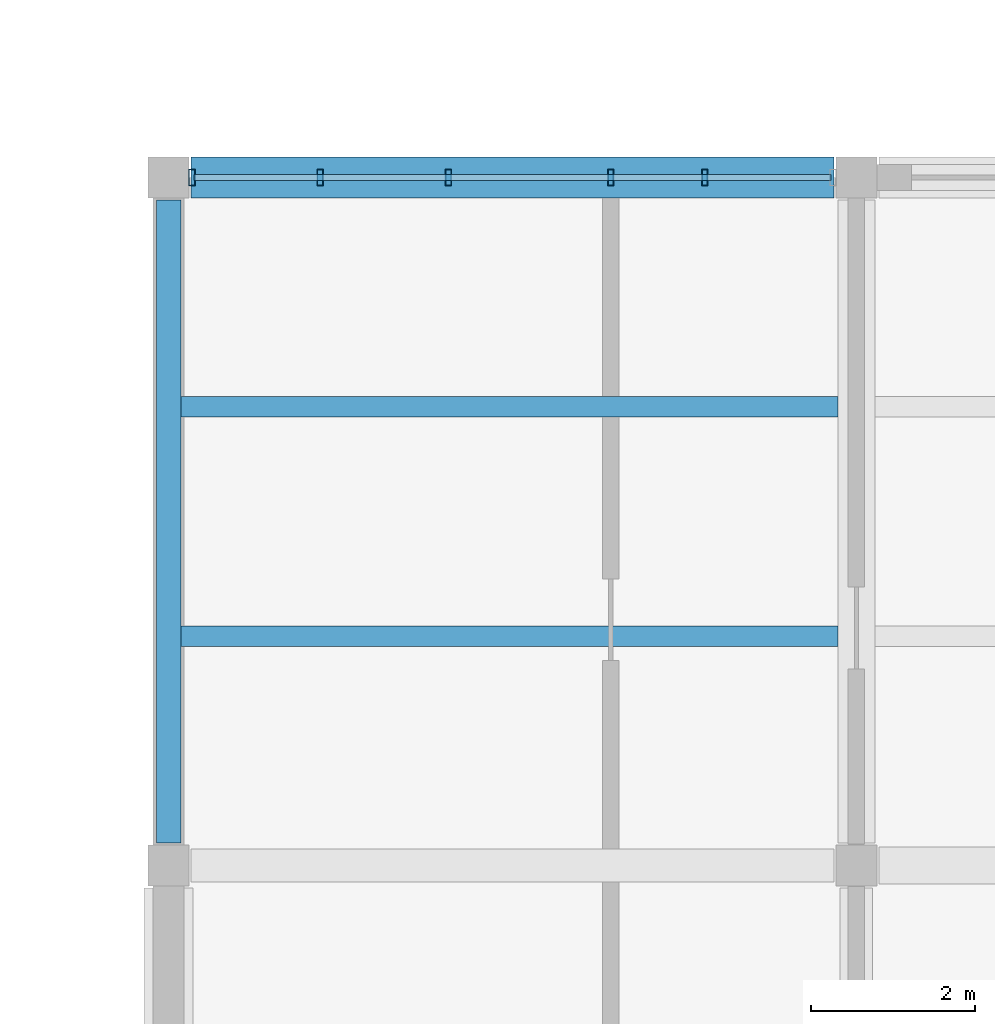
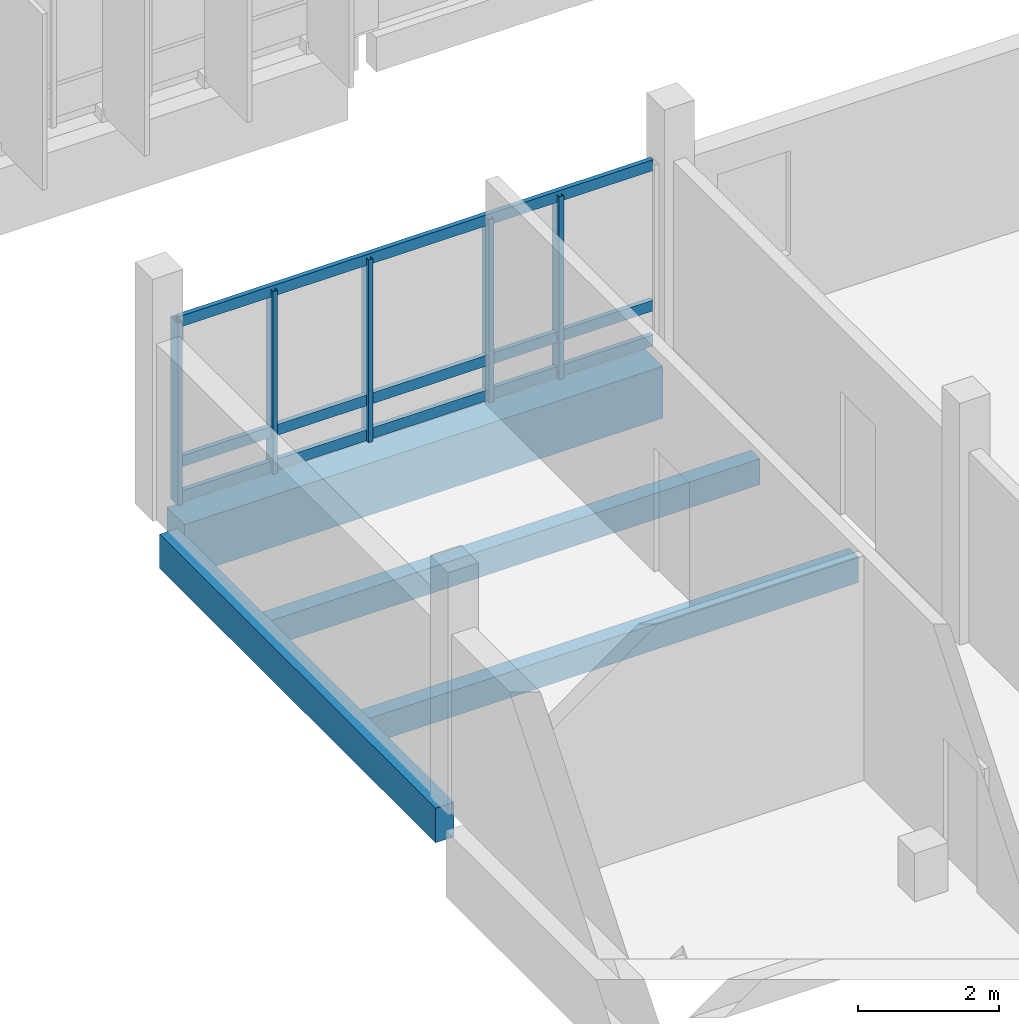
# One storey, part 33 of 107: 8 members, 4 beams, 1 element without a shape of its own.
"""IFC4 building model written with IfcOpenShell, lengths in metres."""

from ifc_helpers import new_model, si_unit, direction, frame, origin, origin_2d, place, context, subcontext, project, spatial, rectangle, hollow_rectangle, extrude, material, layer, layer_set, material_profile, profile_set, type_object, element, aggregate, save


model = new_model("IFC4")

# Units and contexts
model_context = context("Model", 3, precision=1e-05, world=origin(), true_north=direction((0.0, 1.0)))
body_context = subcontext(model_context, "Body", "Model", "MODEL_VIEW")
ifc_project = project(units=[si_unit("LENGTHUNIT", "METRE"), si_unit("AREAUNIT", "SQUARE_METRE"), si_unit("VOLUMEUNIT", "CUBIC_METRE"), si_unit("PLANEANGLEUNIT", "RADIAN"), si_unit("MASSUNIT", "GRAM", prefix="KILO")], contexts=[model_context])

# Site, building, storey
site_placement = place(None, origin())
site = spatial("IfcSite", under=ifc_project, at=site_placement, CompositionType="ELEMENT")
building_placement = place(site_placement, origin())
building = spatial("IfcBuilding", under=site, at=building_placement, Name="Vireocrest Preparatory School", CompositionType="ELEMENT")
storey_placement = place(building_placement, frame((0.0, 0.0, 13.199951171875)))
storey = spatial("IfcBuildingStorey", under=building, at=storey_placement, Name="L03", CompositionType="ELEMENT", Elevation=13.199951171875)

# Curtain wall, members
ifc_material_1 = material(Name="Thermally broken aluminium EN AW-6063-T6", Category="aluminium")
ifc_layer = layer(ifc_material_1, 0.179931640625)
ifc_layer_set = layer_set([ifc_layer], Name="Thermally broken aluminium EN AW-6063-T6")
curtain_wall_type = type_object("IfcCurtainWallType", Name="Botanical Lab Glazing 8400x3400", PredefinedType="USERDEFINED", material=ifc_layer_set)
curtain_wall_placement = place(storey_placement, origin())
curtain_wall = element("IfcCurtainWall", 1, at=curtain_wall_placement, inside=storey, type_object=curtain_wall_type, Name="Curtain Wall CW15 CW_L03_CW15_0422_0858_132", ObjectType="CURTAIN WALL", PredefinedType="USERDEFINED")
ifc_material_profile_1 = material_profile(ifc_material_1, hollow_rectangle(XDim=0.074951171875, YDim=0.199951171875, WallThickness=0.0048828125, at=origin_2d()), Name="ALU 75x200x5")
ifc_profile_set_1 = profile_set([ifc_material_profile_1], Name="Thermally broken aluminium EN AW-6063-T6")
member_type_1 = type_object("IfcMemberType", Name="CW Mullion 75x200x5", PredefinedType="MULLION", material=ifc_profile_set_1)
member_1_placement = place(storey_placement, frame((42.284912109375, 85.800048828125, 0.0), z_axis=(0.0, 0.0, 1.0), x_axis=(1.0, 0.0, 0.0)))
member_1 = element("IfcMember", 2, at=member_1_placement, type_object=member_type_1, Name="CW Mullion ML3 CW_L03_CW15_0422_0858_132-1", PredefinedType="MULLION", context=body_context, shape_type="SweptSolid", body=[
    extrude(hollow_rectangle(XDim=0.074951171875, YDim=0.199951171875, WallThickness=0.0048828125, at=origin_2d()), origin(), (0.0, 0.0, 1.0), 3.175048828125),
])
member_2_placement = place(storey_placement, frame((43.85107421875, 85.800048828125, 0.0), z_axis=(0.0, 0.0, 1.0), x_axis=(1.0, 0.0, 0.0)))
member_2 = element("IfcMember", 3, at=member_2_placement, type_object=member_type_1, Name="CW Mullion ML3 CW_L03_CW15_0422_0858_132-2", PredefinedType="MULLION", context=body_context, shape_type="SweptSolid", body=[
    extrude(hollow_rectangle(XDim=0.074951171875, YDim=0.199951171875, WallThickness=0.0048828125, at=origin_2d()), origin(), (0.0, 0.0, 1.0), 3.175048828125),
])
member_3_placement = place(storey_placement, frame((45.4169921875, 85.800048828125, 0.0), z_axis=(0.0, 0.0, 1.0), x_axis=(1.0, 0.0, 0.0)))
member_3 = element("IfcMember", 4, at=member_3_placement, type_object=member_type_1, Name="CW Mullion ML3 CW_L03_CW15_0422_0858_132-3", PredefinedType="MULLION", context=body_context, shape_type="SweptSolid", body=[
    extrude(hollow_rectangle(XDim=0.074951171875, YDim=0.199951171875, WallThickness=0.0048828125, at=origin_2d()), origin(), (0.0, 0.0, 1.0), 3.175048828125),
])
member_4_placement = place(storey_placement, frame((47.39990234375, 85.800048828125, 0.0), z_axis=(0.0, 0.0, 1.0), x_axis=(1.0, 0.0, 0.0)))
member_4 = element("IfcMember", 5, at=member_4_placement, type_object=member_type_1, Name="CW Mullion ML3 CW_L03_CW15_0422_0858_132-4", PredefinedType="MULLION", context=body_context, shape_type="SweptSolid", body=[
    extrude(hollow_rectangle(XDim=0.074951171875, YDim=0.199951171875, WallThickness=0.0048828125, at=origin_2d()), origin(), (0.0, 0.0, 1.0), 3.175048828125),
])
member_5_placement = place(storey_placement, frame((48.549072265625, 85.800048828125, 0.0), z_axis=(0.0, 0.0, 1.0), x_axis=(1.0, 0.0, 0.0)))
member_5 = element("IfcMember", 6, at=member_5_placement, type_object=member_type_1, Name="CW Mullion ML3 CW_L03_CW15_0422_0858_132-5", PredefinedType="MULLION", context=body_context, shape_type="SweptSolid", body=[
    extrude(hollow_rectangle(XDim=0.074951171875, YDim=0.199951171875, WallThickness=0.0048828125, at=origin_2d()), origin(), (0.0, 0.0, 1.0), 3.175048828125),
])
ifc_material_profile_2 = material_profile(ifc_material_1, hollow_rectangle(XDim=0.074951171875, YDim=0.18994140625, WallThickness=0.00390625, at=origin_2d()), Name="ALU 75x190x4")
ifc_profile_set_2 = profile_set([ifc_material_profile_2], Name="Thermally broken aluminium EN AW-6063-T6")
member_type_2 = type_object("IfcMemberType", Name="CW Transom 75x190x4", PredefinedType="USERDEFINED", material=ifc_profile_set_2)
member_6_placement = place(storey_placement, frame((42.31005859375, 85.800048828125, 0.094970703125), z_axis=(1.0, 0.0, 0.0), x_axis=(0.0, 1.0, 0.0)))
member_6 = element("IfcMember", 7, at=member_6_placement, type_object=member_type_2, Name="CW Transom TR3 CW_L03_CW15_0422_0858_132-1", ObjectType="TRANSOM", PredefinedType="USERDEFINED", context=body_context, shape_type="SweptSolid", body=[
    extrude(hollow_rectangle(XDim=0.074951171875, YDim=0.18994140625, WallThickness=0.00390625, at=origin_2d()), origin(), (0.0, 0.0, 1.0), 7.780029296875),
])
member_7_placement = place(storey_placement, frame((42.31005859375, 85.800048828125, 0.699951171875), z_axis=(1.0, 0.0, 0.0), x_axis=(0.0, 1.0, 0.0)))
member_7 = element("IfcMember", 8, at=member_7_placement, type_object=member_type_2, Name="CW Transom TR3 CW_L03_CW15_0422_0858_132-2", ObjectType="TRANSOM", PredefinedType="USERDEFINED", context=body_context, shape_type="SweptSolid", body=[
    extrude(hollow_rectangle(XDim=0.074951171875, YDim=0.18994140625, WallThickness=0.00390625, at=origin_2d()), origin(), (0.0, 0.0, 1.0), 7.780029296875),
])
member_8_placement = place(storey_placement, frame((42.31005859375, 85.800048828125, 3.135009765625), z_axis=(1.0, 0.0, 0.0), x_axis=(0.0, 1.0, 0.0)))
member_8 = element("IfcMember", 9, at=member_8_placement, type_object=member_type_2, Name="CW Transom TR3 CW_L03_CW15_0422_0858_132-3", ObjectType="TRANSOM", PredefinedType="USERDEFINED", context=body_context, shape_type="SweptSolid", body=[
    extrude(hollow_rectangle(XDim=0.074951171875, YDim=0.18994140625, WallThickness=0.00390625, at=origin_2d()), origin(), (0.0, 0.0, 1.0), 7.780029296875),
])
aggregate(curtain_wall, [member_1, member_2, member_3, member_4, member_5, member_6, member_7, member_8])

# Beams
ifc_material_2 = material(Name="Concrete 40 MPa", Category="concrete")
ifc_material_profile_3 = material_profile(ifc_material_2, rectangle(XDim=0.300048828125, YDim=0.60009765625, at=origin_2d()), Name="RC 300x600")
ifc_profile_set_3 = profile_set([ifc_material_profile_3], Name="Concrete 40 MPa")
beam_type_1 = type_object("IfcBeamType", Name="RC Classroom Beam 300x600", PredefinedType="BEAM", material=ifc_profile_set_3)
beam_1_placement = place(storey_placement, frame((42.0, 77.675048828125, -0.5400390625), z_axis=(0.0, 1.0, 0.0), x_axis=(-1.0, 0.0, 0.0)))
element("IfcBeam", 10, at=beam_1_placement, inside=storey, type_object=beam_type_1, Name="Primary Girder B03 L03-1112", PredefinedType="BEAM", context=body_context, shape_type="SweptSolid", body=[
    extrude(rectangle(XDim=0.300048828125, YDim=0.60009765625, at=origin_2d()), origin(), (0.0, 0.0, 1.0), 7.849853515625),
])
ifc_material_profile_4 = material_profile(ifc_material_2, rectangle(XDim=0.5, YDim=0.89990234375, at=origin_2d()), Name="RC 500x900")
ifc_profile_set_4 = profile_set([ifc_material_profile_4], Name="Concrete 40 MPa")
beam_type_2 = type_object("IfcBeamType", Name="RC Podium Girder 500x900", PredefinedType="BEAM", material=ifc_profile_set_4)
beam_2_placement = place(storey_placement, frame((42.27490234375, 85.800048828125, -0.68994140625), z_axis=(1.0, 0.0, 0.0), x_axis=(0.0, 1.0, 0.0)))
element("IfcBeam", 11, at=beam_2_placement, inside=storey, type_object=beam_type_2, Name="Primary Girder B15 L03-1075", PredefinedType="BEAM", context=body_context, shape_type="SweptSolid", body=[
    extrude(rectangle(XDim=0.5, YDim=0.89990234375, at=origin_2d()), origin(), (0.0, 0.0, 1.0), 7.85009765625),
])
ifc_material_profile_5 = material_profile(ifc_material_2, rectangle(XDim=0.25, YDim=0.449951171875, at=origin_2d()), Name="RC 250x450")
ifc_profile_set_5 = profile_set([ifc_material_profile_5], Name="Concrete 40 MPa")
beam_type_3 = type_object("IfcBeamType", Name="RC Secondary Floor Joist 250x450", PredefinedType="JOIST", material=ifc_profile_set_5)
for number, where, z_axis, x_axis, name in (
    (12, (42.14990234375, 80.199951171875, -0.46484375), (1.0, 0.0, 0.0), (0.0, 1.0, 0.0), "Secondary Joist J01 L03-1193"),
    (13, (42.14990234375, 83.0, -0.46484375), (1.0, 0.0, 0.0), (0.0, 1.0, 0.0), "Secondary Joist J01 L03-1194"),
):
    element("IfcBeam", number, at=place(storey_placement, frame(where, z_axis=z_axis, x_axis=x_axis)), inside=storey, type_object=beam_type_3, Name=name, PredefinedType="JOIST", context=body_context, shape_type="SweptSolid", body=[
        extrude(rectangle(XDim=0.25, YDim=0.449951171875, at=origin_2d()), origin(), (0.0, 0.0, 1.0), 8.025146484375),
    ])

save(model, "model.ifc")
